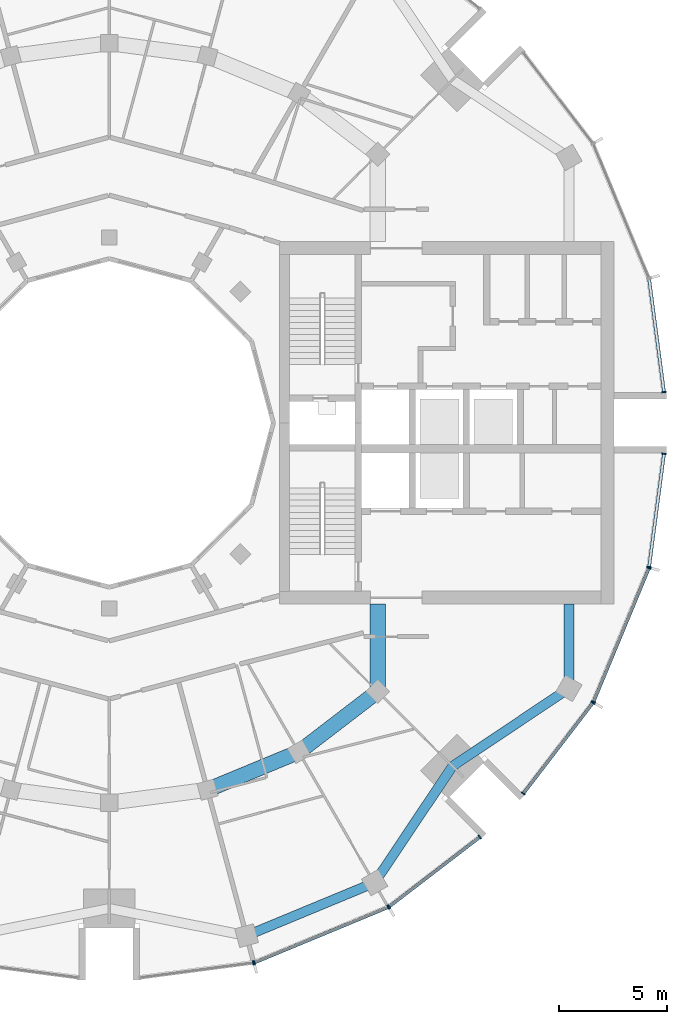
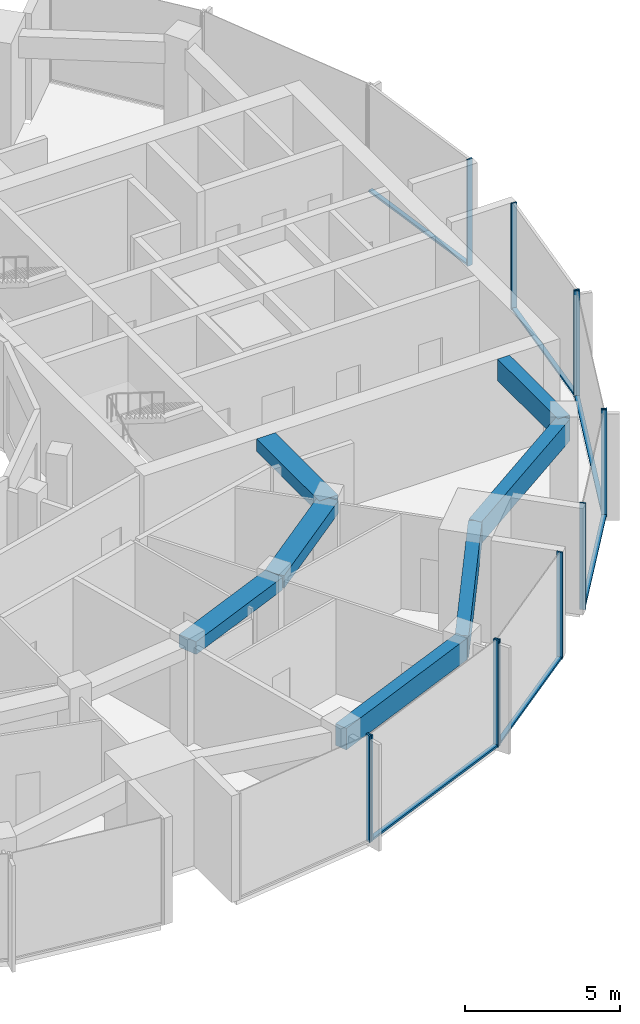
# One storey, part 4 of 15: 18 members, 7 beams, 7 elements without a shape of their own.
"""IFC4 building model written with IfcOpenShell, lengths in metres."""

from ifc_helpers import new_model, si_unit, direction, frame, origin, origin_2d, place, context, subcontext, project, spatial, rectangle, extrude, material, layer, layer_set, material_profile, profile_set, type_object, element, aggregate, save


model = new_model("IFC4")

# Units and contexts
model_context = context("Model", 3, precision=1e-05, world=origin(), true_north=direction((0.0, 1.0)))
body_context = subcontext(model_context, "Body", "Model", "MODEL_VIEW")
ifc_project = project(units=[si_unit("LENGTHUNIT", "METRE"), si_unit("AREAUNIT", "SQUARE_METRE"), si_unit("VOLUMEUNIT", "CUBIC_METRE"), si_unit("PLANEANGLEUNIT", "RADIAN"), si_unit("MASSUNIT", "GRAM", prefix="KILO")], contexts=[model_context])

# Site, building, storey
site_placement = place(None, origin())
site = spatial("IfcSite", under=ifc_project, at=site_placement, CompositionType="ELEMENT")
building_placement = place(site_placement, origin())
building = spatial("IfcBuilding", under=site, at=building_placement, Name="Torre Brocal", CompositionType="ELEMENT")
storey_placement = place(building_placement, frame((0.0, 0.0, 254.10009765625)))
storey = spatial("IfcBuildingStorey", under=building, at=storey_placement, Name="L58", CompositionType="ELEMENT", Elevation=254.10009765625)

# Curtain wall, member
ifc_material_1 = material(Name="Aluminium and glass", Category="aluminium")
ifc_layer_1 = layer(ifc_material_1, 0.199951171875)
ifc_layer_set_1 = layer_set([ifc_layer_1], Name="Aluminium and glass")
curtain_wall_type_1 = type_object("IfcCurtainWallType", Name="CW-1 CURTAIN WALL 4200 HIGH", PredefinedType="NOTDEFINED", material=ifc_layer_set_1)
curtain_wall_1_placement = place(storey_placement, origin())
curtain_wall_1 = element("IfcCurtainWall", 1, at=curtain_wall_1_placement, inside=storey, type_object=curtain_wall_type_1, Name="CW-1 RUN 19", PredefinedType="NOTDEFINED")
ifc_material_2 = material(Name="Aluminium, dark anodised", Category="aluminium")
ifc_material_profile_1 = material_profile(ifc_material_2, rectangle(XDim=0.199951171875, YDim=0.06005859375, at=origin_2d()), Name="CW-1 MULLION 60X200")
ifc_profile_set_1 = profile_set([ifc_material_profile_1], Name="Aluminium, dark anodised")
member_type_1 = type_object("IfcMemberType", Name="CW-1 MULLION 60X200", PredefinedType="MULLION", material=ifc_profile_set_1)
member_1_placement = place(storey_placement, frame((86.67333984375, 49.9794921875, 0.0), z_axis=(0.0, 0.0, 1.0), x_axis=(-0.13052619222, 0.991444861374, 0.0)))
member_1 = element("IfcMember", 2, at=member_1_placement, type_object=member_type_1, Name="CW1-5 mullion 2", PredefinedType="MULLION", context=body_context, shape_type="SweptSolid", body=[
    extrude(rectangle(XDim=0.199951171875, YDim=0.06005859375, at=origin_2d()), origin(), (0.0, 0.0, 1.0), 4.199951171875),
])
aggregate(curtain_wall_1, [member_1])

# Curtain wall, members
curtain_wall_2_placement = place(storey_placement, origin())
curtain_wall_2 = element("IfcCurtainWall", 3, at=curtain_wall_2_placement, inside=storey, type_object=curtain_wall_type_1, Name="CW-1 RUN 20", PredefinedType="NOTDEFINED")
member_2_placement = place(storey_placement, frame((86.73095703125, 49.994873046875, 0.0), z_axis=(0.0, 0.0, 1.0), x_axis=(-0.382683432333, 0.923879532525, 0.0)))
member_2 = element("IfcMember", 4, at=member_2_placement, type_object=member_type_1, Name="CW1-5 mullion 1", PredefinedType="MULLION", context=body_context, shape_type="SweptSolid", body=[
    extrude(rectangle(XDim=0.199951171875, YDim=0.06005859375, at=origin_2d()), origin(), (0.0, 0.0, 1.0), 4.199951171875),
])
member_3_placement = place(storey_placement, frame((92.921875, 52.559326171875, 0.0), z_axis=(0.0, 0.0, 1.0), x_axis=(-0.382683432333, 0.923879532525, 0.0)))
member_3 = element("IfcMember", 5, at=member_3_placement, type_object=member_type_1, Name="CW1-5 mullion 2", PredefinedType="MULLION", context=body_context, shape_type="SweptSolid", body=[
    extrude(rectangle(XDim=0.199951171875, YDim=0.06005859375, at=origin_2d()), origin(), (0.0, 0.0, 1.0), 4.199951171875),
])

curtain_wall_3_placement = place(storey_placement, origin())
curtain_wall_3 = element("IfcCurtainWall", 6, at=curtain_wall_3_placement, inside=storey, type_object=curtain_wall_type_1, Name="CW-1 RUN 21", PredefinedType="NOTDEFINED")
member_4_placement = place(storey_placement, frame((92.973388671875, 52.5888671875, 0.0), z_axis=(0.0, 0.0, 1.0), x_axis=(-0.60876142905, 0.793353340259, 0.0)))
member_4 = element("IfcMember", 7, at=member_4_placement, type_object=member_type_1, Name="CW1-5 mullion 1", PredefinedType="MULLION", context=body_context, shape_type="SweptSolid", body=[
    extrude(rectangle(XDim=0.199951171875, YDim=0.06005859375, at=origin_2d()), origin(), (0.0, 0.0, 1.0), 4.199951171875),
])
member_5_placement = place(storey_placement, frame((97.16943359375, 55.80859375, 0.0), z_axis=(0.0, 0.0, 1.0), x_axis=(-0.60876142905, 0.793353340259, 0.0)))
member_5 = element("IfcMember", 8, at=member_5_placement, type_object=member_type_1, Name="CW1-5 mullion 2", PredefinedType="MULLION", context=body_context, shape_type="SweptSolid", body=[
    extrude(rectangle(XDim=0.199951171875, YDim=0.06005859375, at=origin_2d()), origin(), (0.0, 0.0, 1.0), 4.199951171875),
])

curtain_wall_4_placement = place(storey_placement, origin())
curtain_wall_4 = element("IfcCurtainWall", 9, at=curtain_wall_4_placement, inside=storey, type_object=curtain_wall_type_1, Name="CW-1 RUN 22", PredefinedType="NOTDEFINED")
member_6_placement = place(storey_placement, frame((99.19140625, 57.83056640625, 0.0), z_axis=(0.0, 0.0, 1.0), x_axis=(-0.793353340259, 0.60876142905, 0.0)))
member_6 = element("IfcMember", 10, at=member_6_placement, type_object=member_type_1, Name="CW1-5 mullion 1", PredefinedType="MULLION", context=body_context, shape_type="SweptSolid", body=[
    extrude(rectangle(XDim=0.199951171875, YDim=0.06005859375, at=origin_2d()), origin(), (0.0, 0.0, 1.0), 4.199951171875),
])
member_7_placement = place(storey_placement, frame((102.4111328125, 62.026611328125, 0.0), z_axis=(0.0, 0.0, 1.0), x_axis=(-0.793353340259, 0.60876142905, 0.0)))
member_7 = element("IfcMember", 11, at=member_7_placement, type_object=member_type_1, Name="CW1-5 mullion 2", PredefinedType="MULLION", context=body_context, shape_type="SweptSolid", body=[
    extrude(rectangle(XDim=0.199951171875, YDim=0.06005859375, at=origin_2d()), origin(), (0.0, 0.0, 1.0), 4.199951171875),
])

curtain_wall_5_placement = place(storey_placement, origin())
curtain_wall_5 = element("IfcCurtainWall", 12, at=curtain_wall_5_placement, inside=storey, type_object=curtain_wall_type_1, Name="CW-1 RUN 23", PredefinedType="NOTDEFINED")
member_8_placement = place(storey_placement, frame((102.440673828125, 62.078125, 0.0), z_axis=(0.0, 0.0, 1.0), x_axis=(-0.923879532525, 0.382683432333, 0.0)))
member_8 = element("IfcMember", 13, at=member_8_placement, type_object=member_type_1, Name="CW1-5 mullion 1", PredefinedType="MULLION", context=body_context, shape_type="SweptSolid", body=[
    extrude(rectangle(XDim=0.199951171875, YDim=0.06005859375, at=origin_2d()), origin(), (0.0, 0.0, 1.0), 4.199951171875),
])
member_9_placement = place(storey_placement, frame((105.005126953125, 68.26904296875, 0.0), z_axis=(0.0, 0.0, 1.0), x_axis=(-0.923879532525, 0.382683432333, 0.0)))
member_9 = element("IfcMember", 14, at=member_9_placement, type_object=member_type_1, Name="CW1-5 mullion 2", PredefinedType="MULLION", context=body_context, shape_type="SweptSolid", body=[
    extrude(rectangle(XDim=0.199951171875, YDim=0.06005859375, at=origin_2d()), origin(), (0.0, 0.0, 1.0), 4.199951171875),
])

# Member
ifc_material_3 = material(Name="Aluminium, dark anodised", Category="aluminium")
ifc_material_profile_2 = material_profile(ifc_material_3, rectangle(XDim=0.159912109375, YDim=0.080078125, at=origin_2d()), Name="CW-1 TRANSOM 160X80")
ifc_profile_set_2 = profile_set([ifc_material_profile_2], Name="Aluminium, dark anodised")
member_type_2 = type_object("IfcMemberType", Name="CW-1 TRANSOM 160X80", PredefinedType="USERDEFINED", material=ifc_profile_set_2)
member_10_placement = place(storey_placement, frame((86.758544921875, 50.00634765625, 0.039794921875), z_axis=(0.923887344364, 0.38266457234, 0.0), x_axis=(-0.38266457234, 0.923887344364, 0.0)))
member_10 = element("IfcMember", 15, at=member_10_placement, type_object=member_type_2, Name="CW1-5 transom 1.1", ObjectType="TRANSOM", PredefinedType="USERDEFINED", context=body_context, shape_type="SweptSolid", body=[
    extrude(rectangle(XDim=0.159912109375, YDim=0.080078125, at=origin_2d()), origin(), (0.0, 0.0, 1.0), 6.640869140625),
])

aggregate(curtain_wall_2, [member_2, member_3, member_10])

member_11_placement = place(storey_placement, frame((92.9970703125, 52.607177734375, 0.039794921875), z_axis=(0.79336281513, 0.60874908096, 0.0), x_axis=(-0.60874908096, 0.79336281513, 0.0)))
member_11 = element("IfcMember", 16, at=member_11_placement, type_object=member_type_2, Name="CW1-5 transom 1.1", ObjectType="TRANSOM", PredefinedType="USERDEFINED", context=body_context, shape_type="SweptSolid", body=[
    extrude(rectangle(XDim=0.159912109375, YDim=0.080078125, at=origin_2d()), origin(), (0.0, 0.0, 1.0), 5.22900390625),
])

aggregate(curtain_wall_3, [member_4, member_5, member_11])

member_12_placement = place(storey_placement, frame((99.209716796875, 57.8544921875, 0.039794921875), z_axis=(0.60874908096, 0.79336281513, 0.0), x_axis=(-0.79336281513, 0.60874908096, 0.0)))
member_12 = element("IfcMember", 17, at=member_12_placement, type_object=member_type_2, Name="CW1-5 transom 1.1", ObjectType="TRANSOM", PredefinedType="USERDEFINED", context=body_context, shape_type="SweptSolid", body=[
    extrude(rectangle(XDim=0.159912109375, YDim=0.080078125, at=origin_2d()), origin(), (0.0, 0.0, 1.0), 5.22900390625),
])

aggregate(curtain_wall_4, [member_6, member_7, member_12])

member_13_placement = place(storey_placement, frame((102.452392578125, 62.10595703125, 0.039794921875), z_axis=(0.38266457234, 0.923887344364, 0.0), x_axis=(-0.923887344364, 0.38266457234, 0.0)))
member_13 = element("IfcMember", 18, at=member_13_placement, type_object=member_type_2, Name="CW1-5 transom 1.1", ObjectType="TRANSOM", PredefinedType="USERDEFINED", context=body_context, shape_type="SweptSolid", body=[
    extrude(rectangle(XDim=0.159912109375, YDim=0.080078125, at=origin_2d()), origin(), (0.0, 0.0, 1.0), 6.640869140625),
])

aggregate(curtain_wall_5, [member_8, member_9, member_13])

# Curtain wall, member
ifc_material_4 = material(Name="Aluminium and glass", Category="aluminium")
ifc_layer_2 = layer(ifc_material_4, 0.199951171875)
ifc_layer_set_2 = layer_set([ifc_layer_2], Name="Aluminium and glass")
curtain_wall_type_2 = type_object("IfcCurtainWallType", Name="CW-1B CURTAIN WALL 4200 HIGH", PredefinedType="NOTDEFINED", material=ifc_layer_set_2)
curtain_wall_6_placement = place(storey_placement, origin())
curtain_wall_6 = element("IfcCurtainWall", 19, at=curtain_wall_6_placement, inside=storey, type_object=curtain_wall_type_2, Name="CW-1B RUN 1", PredefinedType="NOTDEFINED")
ifc_material_5 = material(Name="Aluminium, dark anodised", Category="aluminium")
ifc_material_profile_3 = material_profile(ifc_material_5, rectangle(XDim=0.199951171875, YDim=0.06005859375, at=origin_2d()), Name="CW-1B MULLION 60X200")
ifc_profile_set_3 = profile_set([ifc_material_profile_3], Name="Aluminium, dark anodised")
member_type_3 = type_object("IfcMemberType", Name="CW-1B MULLION 60X200", PredefinedType="MULLION", material=ifc_profile_set_3)
member_14_placement = place(storey_placement, frame((105.7109375, 76.4296875, 0.0), z_axis=(0.0, 0.0, 1.0), x_axis=(-0.991444861374, -0.13052619222, 0.0)))
member_14 = element("IfcMember", 20, at=member_14_placement, type_object=member_type_3, Name="CW1B-5 mullion 1", PredefinedType="MULLION", context=body_context, shape_type="SweptSolid", body=[
    extrude(rectangle(XDim=0.199951171875, YDim=0.06005859375, at=origin_2d()), origin(), (0.0, 0.0, 1.0), 4.199951171875),
])

# Curtain wall, members
curtain_wall_7_placement = place(storey_placement, origin())
curtain_wall_7 = element("IfcCurtainWall", 21, at=curtain_wall_7_placement, inside=storey, type_object=curtain_wall_type_2, Name="CW-1B RUN 24", PredefinedType="NOTDEFINED")
member_15_placement = place(storey_placement, frame((105.0205078125, 68.32666015625, 0.0), z_axis=(0.0, 0.0, 1.0), x_axis=(-0.991444861374, 0.13052619222, 0.0)))
member_15 = element("IfcMember", 22, at=member_15_placement, type_object=member_type_3, Name="CW1B-5 mullion 1", PredefinedType="MULLION", context=body_context, shape_type="SweptSolid", body=[
    extrude(rectangle(XDim=0.199951171875, YDim=0.06005859375, at=origin_2d()), origin(), (0.0, 0.0, 1.0), 4.199951171875),
])
member_16_placement = place(storey_placement, frame((105.7109375, 73.5703125, 0.0), z_axis=(0.0, 0.0, 1.0), x_axis=(-0.991444861374, 0.13052619222, 0.0)))
member_16 = element("IfcMember", 23, at=member_16_placement, type_object=member_type_3, Name="CW1B-5 mullion 2", PredefinedType="MULLION", context=body_context, shape_type="SweptSolid", body=[
    extrude(rectangle(XDim=0.199951171875, YDim=0.06005859375, at=origin_2d()), origin(), (0.0, 0.0, 1.0), 4.199951171875),
])

# Member
ifc_material_6 = material(Name="Aluminium, dark anodised", Category="aluminium")
ifc_material_profile_4 = material_profile(ifc_material_6, rectangle(XDim=0.159912109375, YDim=0.080078125, at=origin_2d()), Name="CW-1B TRANSOM 160X80")
ifc_profile_set_4 = profile_set([ifc_material_profile_4], Name="Aluminium, dark anodised")
member_type_4 = type_object("IfcMemberType", Name="CW-1B TRANSOM 160X80", PredefinedType="USERDEFINED", material=ifc_profile_set_4)
member_17_placement = place(storey_placement, frame((105.70703125, 76.45947265625, 0.039794921875), z_axis=(-0.130542677827, 0.991442690863, 0.0), x_axis=(-0.991442690863, -0.130542677827, 0.0)))
member_17 = element("IfcMember", 24, at=member_17_placement, type_object=member_type_4, Name="CW1B-5 transom 1.1", ObjectType="TRANSOM", PredefinedType="USERDEFINED", context=body_context, shape_type="SweptSolid", body=[
    extrude(rectangle(XDim=0.159912109375, YDim=0.080078125, at=origin_2d()), origin(), (0.0, 0.0, 1.0), 5.22900390625),
])

aggregate(curtain_wall_6, [member_14, member_17])

member_18_placement = place(storey_placement, frame((105.0244140625, 68.356201171875, 0.039794921875), z_axis=(0.130542677827, 0.991442690863, 0.0), x_axis=(-0.991442690863, 0.130542677827, 0.0)))
member_18 = element("IfcMember", 25, at=member_18_placement, type_object=member_type_4, Name="CW1B-5 transom 1.1", ObjectType="TRANSOM", PredefinedType="USERDEFINED", context=body_context, shape_type="SweptSolid", body=[
    extrude(rectangle(XDim=0.159912109375, YDim=0.080078125, at=origin_2d()), origin(), (0.0, 0.0, 1.0), 5.22900390625),
])

aggregate(curtain_wall_7, [member_15, member_16, member_18])

# Beams
ifc_material_7 = material(Name="Concrete C50", Category="concrete")
ifc_material_profile_5 = material_profile(ifc_material_7, rectangle(XDim=0.699951171875, YDim=0.5, at=origin_2d()), Name="RC 700X500")
ifc_profile_set_5 = profile_set([ifc_material_profile_5], Name="Concrete C50")
beam_type_1 = type_object("IfcBeamType", Name="RC BEAM 700X500 C50 TOP 3880", PredefinedType="BEAM", material=ifc_profile_set_5)
beam_1_placement = place(storey_placement, frame((84.55517578125, 57.999755859375, 3.6298828125), z_axis=(0.923878240166, 0.382686552348, 0.0), x_axis=(-0.382686552348, 0.923878240166, 0.0)))
element("IfcBeam", 26, at=beam_1_placement, inside=storey, type_object=beam_type_1, Name="Beam BT-37", PredefinedType="BEAM", context=body_context, shape_type="SweptSolid", body=[
    extrude(rectangle(XDim=0.699951171875, YDim=0.5, at=origin_2d()), origin(), (0.0, 0.0, 1.0), 4.5947265625),
])
beam_2_placement = place(storey_placement, frame((88.800048828125, 59.758056640625, 3.6298828125), z_axis=(0.793358265959, 0.6087550097, 0.0), x_axis=(-0.6087550097, 0.793358265959, 0.0)))
element("IfcBeam", 27, at=beam_2_placement, inside=storey, type_object=beam_type_1, Name="Beam BT-37", PredefinedType="BEAM", context=body_context, shape_type="SweptSolid", body=[
    extrude(rectangle(XDim=0.699951171875, YDim=0.5, at=origin_2d()), origin(), (0.0, 0.0, 1.0), 4.594482421875),
])
beam_3_placement = place(storey_placement, frame((92.445068359375, 62.554931640625, 3.6298828125), z_axis=(0.0, 1.0, 0.0), x_axis=(-1.0, 0.0, 0.0)))
element("IfcBeam", 28, at=beam_3_placement, inside=storey, type_object=beam_type_1, Name="Beam BT-37", PredefinedType="BEAM", context=body_context, shape_type="SweptSolid", body=[
    extrude(rectangle(XDim=0.699951171875, YDim=0.5, at=origin_2d()), origin(), (0.0, 0.0, 1.0), 4.045166015625),
])
ifc_material_8 = material(Name="Concrete C50", Category="concrete")
ifc_material_profile_6 = material_profile(ifc_material_8, rectangle(XDim=0.449951171875, YDim=0.85009765625, at=origin_2d()), Name="RC 450X850")
ifc_profile_set_6 = profile_set([ifc_material_profile_6], Name="Concrete C50")
beam_type_2 = type_object("IfcBeamType", Name="RC SPANDREL BEAM 450X850 C50 TOP 3880", PredefinedType="SPANDREL", material=ifc_profile_set_6)
beam_4_placement = place(storey_placement, frame((86.366943359375, 51.23828125, 3.454833984375), z_axis=(0.923882462513, 0.382676358639, 0.0), x_axis=(-0.382676358639, 0.923882462513, 0.0)))
element("IfcBeam", 29, at=beam_4_placement, inside=storey, type_object=beam_type_2, Name="Beam BT-38", PredefinedType="SPANDREL", context=body_context, shape_type="SweptSolid", body=[
    extrude(rectangle(XDim=0.449951171875, YDim=0.85009765625, at=origin_2d()), origin(), (0.0, 0.0, 1.0), 6.421875),
])
for number, where, z_axis, x_axis, name in (
    (30, (92.300048828125, 53.69580078125, 3.454833984375), (0.556157602282, 0.831076844476, 0.0), (-0.831076844476, 0.556157602282, 0.0), "Beam BT-38"),
    (31, (95.909912109375, 59.090087890625, 3.454833984375), (0.831076844476, 0.556157602282, 0.0), (-0.556157602282, 0.831076844476, 0.0), "Beam BT-38"),
):
    element("IfcBeam", number, at=place(storey_placement, frame(where, z_axis=z_axis, x_axis=x_axis)), inside=storey, type_object=beam_type_2, Name=name, PredefinedType="SPANDREL", context=body_context, shape_type="SweptSolid", body=[
        extrude(rectangle(XDim=0.449951171875, YDim=0.85009765625, at=origin_2d()), origin(), (0.0, 0.0, 1.0), 6.49072265625),
    ])
beam_5_placement = place(storey_placement, frame((101.30419921875, 62.699951171875, 3.454833984375), z_axis=(0.0, 1.0, 0.0), x_axis=(-1.0, 0.0, 0.0)))
element("IfcBeam", 32, at=beam_5_placement, inside=storey, type_object=beam_type_2, Name="Beam BT-38", PredefinedType="SPANDREL", context=body_context, shape_type="SweptSolid", body=[
    extrude(rectangle(XDim=0.449951171875, YDim=0.85009765625, at=origin_2d()), origin(), (0.0, 0.0, 1.0), 3.900146484375),
])

save(model, "model.ifc")
